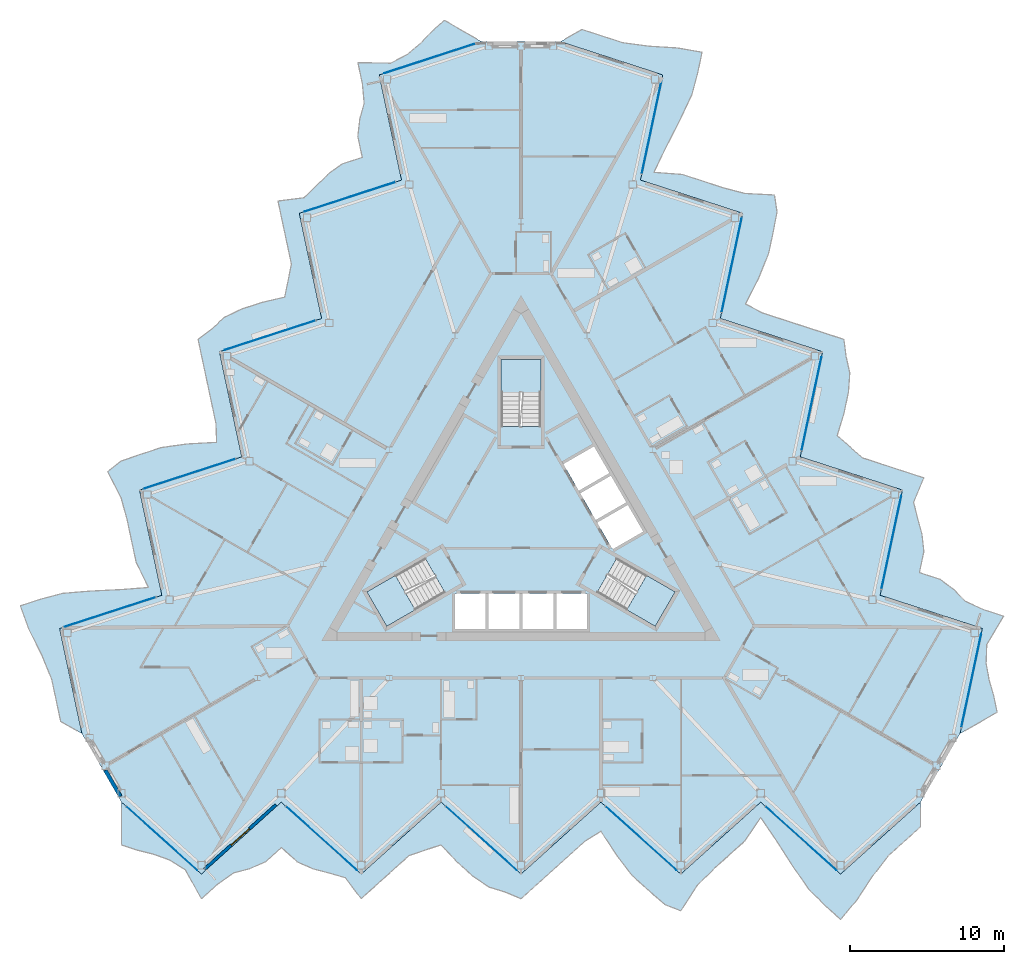
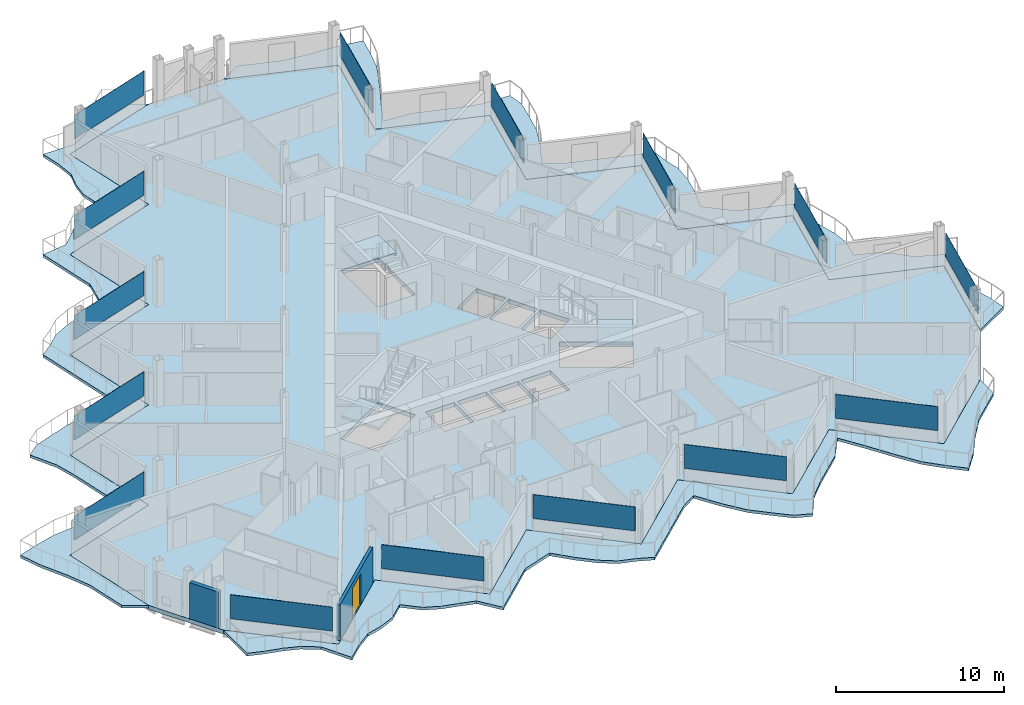
# One storey, part 11 of 26: 15 plates, 7 slabs, 2 walls, 1 door, 1 opening, 18 elements without a shape of their own.
"""IFC4 building model written with IfcOpenShell, lengths in metres."""

from ifc_helpers import new_model, si_unit, direction, frame, frame_2d, origin, origin_2d, place, context, subcontext, project, spatial, polyline, rectangle, outline, extrude, material, layer, layer_set, type_object, element, fill, aggregate, save


model = new_model("IFC4")

# Units and contexts
model_context = context("Model", 3, precision=1e-05, world=origin(), true_north=direction((0.0, 1.0)))
body_context = subcontext(model_context, "Body", "Model", "MODEL_VIEW")
ifc_project = project(units=[si_unit("LENGTHUNIT", "METRE"), si_unit("AREAUNIT", "SQUARE_METRE"), si_unit("VOLUMEUNIT", "CUBIC_METRE"), si_unit("PLANEANGLEUNIT", "RADIAN"), si_unit("MASSUNIT", "GRAM", prefix="KILO")], contexts=[model_context])

# Site, building, storey
site_placement = place(None, origin())
site = spatial("IfcSite", under=ifc_project, at=site_placement, CompositionType="ELEMENT")
building_placement = place(site_placement, origin())
building = spatial("IfcBuilding", under=site, at=building_placement, Name="Cormorant Prow Tower", CompositionType="ELEMENT")
storey_placement = place(building_placement, frame((0.0, 0.0, 371.199951171875)))
storey = spatial("IfcBuildingStorey", under=building, at=storey_placement, Name="L83", CompositionType="ELEMENT", Elevation=371.199951171875)

# Slabs
ifc_material_1 = material(Name="Concrete C40/50", Category="concrete")
ifc_layer_1 = layer(ifc_material_1, 0.199951171875)
ifc_layer_set_1 = layer_set([ifc_layer_1], Name="Concrete C40/50")
slab_type_1 = type_object("IfcSlabType", Name="Balcony slab 200", PredefinedType="FLOOR", material=ifc_layer_set_1)
slab_1_placement = place(storey_placement, frame((0.0, 0.0, -0.199951171875)))
element("IfcSlab", 1, at=slab_1_placement, inside=storey, type_object=slab_type_1, Name="Balcony slab S L83", PredefinedType="FLOOR", context=body_context, shape_type="SweptSolid", body=[
    extrude(outline(polyline([(-26.0, -17.9833984375), (-26.0, -20.767333984375), (-24.9599609375, -21.112060546875), (-23.919921875, -21.37060546875), (-22.8798828125, -21.74267578125), (-21.840087890625, -22.394775390625), (-20.800048828125, -24.265625), (-19.760009765625, -23.3291015625), (-18.719970703125, -22.5927734375), (-17.679931640625, -22.322021484375), (-16.639892578125, -21.869873046875), (-15.60009765625, -20.93359375), (-14.56005859375, -21.869873046875), (-13.52001953125, -22.32666015625), (-12.47998046875, -22.59814453125), (-11.43994140625, -22.8974609375), (-10.39990234375, -24.265625), (-9.360107421875, -23.3291015625), (-8.320068359375, -22.392822265625), (-7.280029296875, -21.456298828125), (-6.239990234375, -21.106689453125), (-5.199951171875, -20.763671875), (-4.159912109375, -21.869873046875), (-3.1201171875, -22.806396484375), (-2.080078125, -23.50927734375), (-1.0400390625, -23.8310546875), (0.0, -24.265625), (1.0400390625, -23.3291015625), (2.080078125, -22.392822265625), (3.1201171875, -21.456298828125), (4.159912109375, -20.52001953125), (5.199951171875, -19.87548828125), (6.239990234375, -21.466064453125), (7.280029296875, -22.806396484375), (8.320068359375, -23.74267578125), (9.360107421875, -24.645751953125), (10.39990234375, -25.052490234375), (11.43994140625, -23.443115234375), (12.47998046875, -22.392822265625), (13.52001953125, -21.456298828125), (14.56005859375, -20.52001953125), (15.60009765625, -18.9921875), (16.639892578125, -20.517578125), (17.679931640625, -22.132080078125), (18.719970703125, -23.6357421875), (19.760009765625, -24.67919921875), (20.800048828125, -25.61572265625), (21.840087890625, -24.373779296875), (22.8798828125, -22.80322265625), (23.919921875, -21.456298828125), (24.9599609375, -20.52001953125), (26.0, -19.58349609375), (26.0, -17.9833984375), (24.9599609375, -18.919921875), (23.919921875, -19.8564453125), (22.8798828125, -20.792724609375), (21.840087890625, -21.729248046875), (20.800048828125, -22.66552734375), (19.760009765625, -21.729248046875), (18.719970703125, -20.792724609375), (17.679931640625, -19.8564453125), (16.639892578125, -18.919921875), (15.60009765625, -17.9833984375), (14.56005859375, -18.919921875), (13.52001953125, -19.8564453125), (12.47998046875, -20.792724609375), (11.43994140625, -21.729248046875), (10.39990234375, -22.66552734375), (9.360107421875, -21.729248046875), (8.320068359375, -20.792724609375), (7.280029296875, -19.8564453125), (6.239990234375, -18.919921875), (5.199951171875, -17.9833984375), (4.159912109375, -18.919921875), (3.1201171875, -19.8564453125), (2.080078125, -20.792724609375), (1.0400390625, -21.729248046875), (0.0, -22.66552734375), (-1.0400390625, -21.729248046875), (-2.080078125, -20.792724609375), (-3.1201171875, -19.8564453125), (-4.159912109375, -18.919921875), (-5.199951171875, -17.9833984375), (-6.239990234375, -18.919921875), (-7.280029296875, -19.8564453125), (-8.320068359375, -20.792724609375), (-9.360107421875, -21.729248046875), (-10.39990234375, -22.66552734375), (-11.43994140625, -21.729248046875), (-12.47998046875, -20.792724609375), (-13.52001953125, -19.8564453125), (-14.56005859375, -18.919921875), (-15.60009765625, -17.9833984375), (-16.639892578125, -18.919921875), (-17.679931640625, -19.8564453125), (-18.719970703125, -20.792724609375), (-19.760009765625, -21.729248046875), (-20.800048828125, -22.66552734375), (-21.840087890625, -21.729248046875), (-22.8798828125, -20.792724609375), (-23.919921875, -19.8564453125), (-24.9599609375, -18.919921875), (-26.0, -17.9833984375)])), origin(), (0.0, 0.0, 1.0), 0.199951171875),
])
slab_2_placement = place(storey_placement, frame((0.0, 0.0, -0.199951171875)))
element("IfcSlab", 2, at=slab_2_placement, inside=storey, type_object=slab_type_1, Name="Balcony slab ENE L83", PredefinedType="FLOOR", context=body_context, shape_type="SweptSolid", body=[
    extrude(outline(polyline([(28.57421875, -13.52490234375), (30.985107421875, -12.133056640625), (30.763427734375, -11.06005859375), (30.467529296875, -10.030029296875), (30.269775390625, -8.943359375), (30.314453125, -7.716552734375), (31.41455078125, -5.880615234375), (30.083740234375, -5.447998046875), (28.926025390625, -4.91552734375), (28.17138671875, -4.150390625), (27.260009765625, -3.4755859375), (25.928955078125, -3.043212890625), (26.219970703125, -1.67431640625), (26.095458984375, -0.54541015625), (25.810546875, 0.490966796875), (25.5498046875, 1.54150390625), (26.214599609375, 3.126220703125), (24.883544921875, 3.55859375), (23.552734375, 3.990966796875), (22.2216796875, 4.423583984375), (21.39892578125, 5.1494140625), (20.581787109375, 5.87841796875), (21.02001953125, 7.332275390625), (21.310791015625, 8.701171875), (21.399658203125, 9.953369140625), (21.158203125, 11.014892578125), (21.0146484375, 12.1328125), (19.68359375, 12.565185546875), (18.352783203125, 12.997802734375), (17.021728515625, 13.43017578125), (15.690673828125, 13.862548828125), (14.61279296875, 14.441162109375), (15.47021484375, 16.136962890625), (16.11083984375, 17.707763671875), (16.40185546875, 19.07666015625), (16.663818359375, 20.428955078125), (16.49609375, 21.532958984375), (14.582275390625, 21.62890625), (13.152587890625, 22.00439453125), (11.82177734375, 22.436767578125), (10.49072265625, 22.869384765625), (8.647705078125, 23.006103515625), (9.44873046875, 24.66943359375), (10.326904296875, 26.377197265625), (11.109130859375, 28.02978515625), (11.492919921875, 29.4521484375), (11.78369140625, 30.821044921875), (10.188232421875, 31.100830078125), (8.308349609375, 31.21630859375), (6.621826171875, 31.443603515625), (5.290771484375, 31.8759765625), (3.959716796875, 32.308349609375), (2.57421875, 31.50830078125), (3.905029296875, 31.075927734375), (5.236083984375, 30.6435546875), (6.567138671875, 30.2109375), (7.89794921875, 29.778564453125), (9.22900390625, 29.34619140625), (8.93798828125, 27.977294921875), (8.64697265625, 26.6083984375), (8.356201171875, 25.239501953125), (8.065185546875, 23.87060546875), (7.774169921875, 22.501708984375), (9.105224609375, 22.0693359375), (10.43603515625, 21.63671875), (11.76708984375, 21.204345703125), (13.09814453125, 20.77197265625), (14.428955078125, 20.33935546875), (14.137939453125, 18.970703125), (13.84716796875, 17.601806640625), (13.55615234375, 16.23291015625), (13.26513671875, 14.864013671875), (12.97412109375, 13.4951171875), (14.30517578125, 13.062744140625), (15.635986328125, 12.630126953125), (16.967041015625, 12.19775390625), (18.298095703125, 11.76513671875), (19.62890625, 11.332763671875), (19.338134765625, 9.9638671875), (19.047119140625, 8.594970703125), (18.756103515625, 7.22607421875), (18.465087890625, 5.857177734375), (18.174072265625, 4.488525390625), (19.505126953125, 4.055908203125), (20.836181640625, 3.62353515625), (22.1669921875, 3.191162109375), (23.498046875, 2.758544921875), (24.8291015625, 2.326171875), (24.5380859375, 0.957275390625), (24.2470703125, -0.41162109375), (23.9560546875, -1.780517578125), (23.6650390625, -3.1494140625), (23.374267578125, -4.518310546875), (24.705078125, -4.95068359375), (26.0361328125, -5.383056640625), (27.366943359375, -5.815673828125), (28.697998046875, -6.248046875), (30.029052734375, -6.680419921875), (29.738037109375, -8.04931640625), (29.447021484375, -9.418212890625), (29.156005859375, -10.787109375), (28.865234375, -12.156005859375), (28.57421875, -13.52490234375)])), origin(), (0.0, 0.0, 1.0), 0.199951171875),
])
slab_3_placement = place(storey_placement, frame((0.0, 0.0, -0.199951171875)))
element("IfcSlab", 3, at=slab_3_placement, inside=storey, type_object=slab_type_1, Name="Balcony slab WNW L83", PredefinedType="FLOOR", context=body_context, shape_type="SweptSolid", body=[
    extrude(outline(polyline([(-2.57421875, 31.50830078125), (-4.985107421875, 32.900390625), (-5.803466796875, 32.171875), (-6.54736328125, 31.400634765625), (-7.389892578125, 30.68603515625), (-8.474365234375, 30.111328125), (-10.61474609375, 30.146240234375), (-10.32373046875, 28.77734375), (-10.2060546875, 27.50830078125), (-10.491455078125, 26.472412109375), (-10.619873046875, 25.345703125), (-10.328857421875, 23.976806640625), (-11.659912109375, 23.544189453125), (-12.575439453125, 22.8720703125), (-13.33056640625, 22.107177734375), (-14.10986328125, 21.35595703125), (-15.814697265625, 21.139404296875), (-15.523681640625, 19.7705078125), (-15.232666015625, 18.401611328125), (-14.941650390625, 17.03271484375), (-15.158935546875, 15.95751953125), (-15.3818359375, 14.88525390625), (-16.85986328125, 14.53759765625), (-18.19091796875, 14.105224609375), (-19.319580078125, 13.555908203125), (-20.1181640625, 12.816162109375), (-21.0146484375, 12.1328125), (-20.7236328125, 10.763916015625), (-20.4326171875, 9.39501953125), (-20.141845703125, 8.026123046875), (-19.850830078125, 6.6572265625), (-19.812744140625, 5.434326171875), (-21.710205078125, 5.3291015625), (-23.390869140625, 5.098388671875), (-24.721923828125, 4.666015625), (-26.02392578125, 4.216796875), (-26.896240234375, 3.51953125), (-26.022216796875, 1.814208984375), (-25.6328125, 0.388427734375), (-25.341796875, -0.98046875), (-25.05078125, -2.349365234375), (-24.24755859375, -4.013916015625), (-26.088623046875, -4.15185546875), (-28.0068359375, -4.245361328125), (-29.8291015625, -4.39404296875), (-31.252685546875, -4.77294921875), (-32.583740234375, -5.20556640625), (-32.0283203125, -6.72705078125), (-31.188232421875, -8.4130859375), (-30.541748046875, -9.987060546875), (-30.250732421875, -11.35595703125), (-29.959716796875, -12.724853515625), (-28.57421875, -13.52490234375), (-28.865234375, -12.156005859375), (-29.156005859375, -10.787109375), (-29.447021484375, -9.418212890625), (-29.738037109375, -8.04931640625), (-30.029052734375, -6.680419921875), (-28.697998046875, -6.248046875), (-27.366943359375, -5.815673828125), (-26.0361328125, -5.383056640625), (-24.705078125, -4.95068359375), (-23.374267578125, -4.518310546875), (-23.6650390625, -3.1494140625), (-23.9560546875, -1.780517578125), (-24.2470703125, -0.41162109375), (-24.5380859375, 0.957275390625), (-24.8291015625, 2.326171875), (-23.498046875, 2.758544921875), (-22.1669921875, 3.191162109375), (-20.836181640625, 3.62353515625), (-19.505126953125, 4.055908203125), (-18.174072265625, 4.488525390625), (-18.465087890625, 5.857177734375), (-18.756103515625, 7.22607421875), (-19.047119140625, 8.594970703125), (-19.338134765625, 9.9638671875), (-19.62890625, 11.332763671875), (-18.298095703125, 11.76513671875), (-16.967041015625, 12.19775390625), (-15.635986328125, 12.630126953125), (-14.30517578125, 13.062744140625), (-12.97412109375, 13.4951171875), (-13.26513671875, 14.864013671875), (-13.55615234375, 16.23291015625), (-13.84716796875, 17.601806640625), (-14.137939453125, 18.970703125), (-14.428955078125, 20.33935546875), (-13.09814453125, 20.77197265625), (-11.76708984375, 21.204345703125), (-10.43603515625, 21.63671875), (-9.105224609375, 22.0693359375), (-7.774169921875, 22.501708984375), (-8.065185546875, 23.87060546875), (-8.356201171875, 25.239501953125), (-8.64697265625, 26.6083984375), (-8.93798828125, 27.977294921875), (-9.22900390625, 29.34619140625), (-7.89794921875, 29.778564453125), (-6.567138671875, 30.2109375), (-5.236083984375, 30.6435546875), (-3.905029296875, 31.075927734375), (-2.57421875, 31.50830078125)])), origin(), (0.0, 0.0, 1.0), 0.199951171875),
])
ifc_material_2 = material(Name="Concrete C40/50", Category="concrete")
ifc_layer_2 = layer(ifc_material_2, 0.300048828125)
ifc_layer_set_2 = layer_set([ifc_layer_2], Name="Concrete C40/50")
slab_type_2 = type_object("IfcSlabType", Name="Post-tensioned flat slab 300", PredefinedType="FLOOR", material=ifc_layer_set_2)
slab_4_placement = place(storey_placement, frame((0.0, 0.0, -0.300048828125)))
element("IfcSlab", 4, at=slab_4_placement, inside=storey, type_object=slab_type_2, Name="Floor slab L83", PredefinedType="FLOOR", context=body_context, shape_type="SweptSolid", body=[
    extrude(outline(polyline([(-7.774169921875, 22.501708984375), (-14.428955078125, 20.33935546875), (-12.97412109375, 13.4951171875), (-19.62890625, 11.332763671875), (-18.174072265625, 4.488525390625), (-24.8291015625, 2.326171875), (-23.374267578125, -4.518310546875), (-30.029052734375, -6.680419921875), (-28.57421875, -13.52490234375), (-27.287109375, -15.754150390625), (-26.0, -17.9833984375), (-20.800048828125, -22.66552734375), (-15.60009765625, -17.9833984375), (-10.39990234375, -22.66552734375), (-5.199951171875, -17.9833984375), (0.0, -22.66552734375), (5.199951171875, -17.9833984375), (10.39990234375, -22.66552734375), (15.60009765625, -17.9833984375), (20.800048828125, -22.66552734375), (26.0, -17.9833984375), (27.287109375, -15.754150390625), (28.57421875, -13.52490234375), (30.029052734375, -6.680419921875), (23.374267578125, -4.518310546875), (24.8291015625, 2.326171875), (18.174072265625, 4.488525390625), (19.62890625, 11.332763671875), (12.97412109375, 13.4951171875), (14.428955078125, 20.33935546875), (7.774169921875, 22.501708984375), (9.22900390625, 29.34619140625), (2.57421875, 31.50830078125), (0.0, 31.50830078125), (-2.57421875, 31.50830078125), (-9.22900390625, 29.34619140625), (-7.774169921875, 22.501708984375)]), holes=[polyline([(-4.300048828125, -4.39990234375), (-2.300048828125, -4.39990234375), (-2.300048828125, -6.699951171875), (-4.300048828125, -6.699951171875), (-4.300048828125, -4.39990234375)]), polyline([(-0.10009765625, -4.39990234375), (-0.10009765625, -6.699951171875), (-2.10009765625, -6.699951171875), (-2.10009765625, -4.39990234375), (-0.10009765625, -4.39990234375)]), polyline([(2.10009765625, -6.699951171875), (0.10009765625, -6.699951171875), (0.10009765625, -4.39990234375), (2.10009765625, -4.39990234375), (2.10009765625, -6.699951171875)]), polyline([(2.300048828125, -6.699951171875), (2.300048828125, -4.39990234375), (4.300048828125, -4.39990234375), (4.300048828125, -6.699951171875), (2.300048828125, -6.699951171875)]), polyline([(5.96044921875, -1.52392578125), (4.96044921875, 0.2080078125), (6.952392578125, 1.358154296875), (7.952392578125, -0.373779296875), (5.96044921875, -1.52392578125)]), polyline([(3.860595703125, 2.11328125), (5.852294921875, 3.263427734375), (6.852294921875, 1.53125), (4.860595703125, 0.38134765625), (3.860595703125, 2.11328125)]), polyline([(4.75244140625, 5.168701171875), (5.75244140625, 3.4365234375), (3.760498046875, 2.28662109375), (2.760498046875, 4.018798828125), (4.75244140625, 5.168701171875)]), polyline([(-4.947509765625, -4.3505859375), (-8.738037109375, -6.5390625), (-10.031982421875, -4.2978515625), (-6.241455078125, -2.109375), (-4.947509765625, -4.3505859375)]), polyline([(10.031982421875, -4.2978515625), (8.738037109375, -6.5390625), (4.947509765625, -4.3505859375), (6.241455078125, -2.109375), (10.031982421875, -4.2978515625)]), polyline([(1.2939453125, 10.8369140625), (1.2939453125, 6.459716796875), (-1.2939453125, 6.459716796875), (-1.2939453125, 10.8369140625), (1.2939453125, 10.8369140625)])]), origin(), (0.0, 0.0, 1.0), 0.300048828125),
])

# Curtain wall, plate
ifc_material_3 = material(Name="Aluminium 6063-T6", Category="aluminium")
ifc_layer_3 = layer(ifc_material_3, 0.159912109375)
ifc_layer_set_3 = layer_set([ifc_layer_3], Name="Aluminium 6063-T6")
curtain_wall_type = type_object("IfcCurtainWallType", Name="Residential unitised curtain wall 160", PredefinedType="NOTDEFINED", material=ifc_layer_set_3)
curtain_wall_1_placement = place(storey_placement, origin())
curtain_wall_1 = element("IfcCurtainWall", 5, at=curtain_wall_1_placement, inside=storey, type_object=curtain_wall_type, Name="Residential curtain wall S00", PredefinedType="NOTDEFINED")
ifc_material_4 = material(Name="Clear glass", Category="glass")
ifc_layer_4 = layer(ifc_material_4, 0.02392578125)
ifc_layer_set_4 = layer_set([ifc_layer_4], Name="Clear glass")
plate_type = type_object("IfcPlateType", Name="Residential glass panel 24", PredefinedType="CURTAIN_PANEL", material=ifc_layer_set_4)
plate_1_placement = place(storey_placement, frame((-23.38134765625, -20.34130859375, 0.900146484375), z_axis=(0.0, 0.0, 1.0), x_axis=(0.743144827638, -0.669130603959, 0.0)))
plate_1 = element("IfcPlate", 6, at=plate_1_placement, type_object=plate_type, Name="Residential glass panel S00", PredefinedType="CURTAIN_PANEL", context=body_context, shape_type="SweptSolid", body=[
    extrude(rectangle(XDim=6.21533203125, YDim=0.02392578125, at=origin_2d()), origin(), (0.0, 0.0, 1.0), 1.73388671875),
])
aggregate(curtain_wall_1, [plate_1])

curtain_wall_2_placement = place(storey_placement, origin())
curtain_wall_2 = element("IfcCurtainWall", 7, at=curtain_wall_2_placement, inside=storey, type_object=curtain_wall_type, Name="Residential curtain wall S02", PredefinedType="NOTDEFINED")
plate_2_placement = place(storey_placement, frame((-12.9814453125, -20.34130859375, 0.900146484375), z_axis=(0.0, 0.0, 1.0), x_axis=(0.743144827638, -0.669130603959, 0.0)))
plate_2 = element("IfcPlate", 8, at=plate_2_placement, type_object=plate_type, Name="Residential glass panel S02", PredefinedType="CURTAIN_PANEL", context=body_context, shape_type="SweptSolid", body=[
    extrude(rectangle(XDim=6.21533203125, YDim=0.02392578125, at=origin_2d()), origin(), (0.0, 0.0, 1.0), 1.73388671875),
])
aggregate(curtain_wall_2, [plate_2])

curtain_wall_3_placement = place(storey_placement, origin())
curtain_wall_3 = element("IfcCurtainWall", 9, at=curtain_wall_3_placement, inside=storey, type_object=curtain_wall_type, Name="Residential curtain wall S04", PredefinedType="NOTDEFINED")
plate_3_placement = place(storey_placement, frame((-2.58154296875, -20.34130859375, 0.900146484375), z_axis=(0.0, 0.0, 1.0), x_axis=(0.743144827638, -0.669130603959, 0.0)))
plate_3 = element("IfcPlate", 10, at=plate_3_placement, type_object=plate_type, Name="Residential glass panel S04", PredefinedType="CURTAIN_PANEL", context=body_context, shape_type="SweptSolid", body=[
    extrude(rectangle(XDim=6.21533203125, YDim=0.02392578125, at=origin_2d()), origin(), (0.0, 0.0, 1.0), 1.73388671875),
])
aggregate(curtain_wall_3, [plate_3])

curtain_wall_4_placement = place(storey_placement, origin())
curtain_wall_4 = element("IfcCurtainWall", 11, at=curtain_wall_4_placement, inside=storey, type_object=curtain_wall_type, Name="Residential curtain wall S06", PredefinedType="NOTDEFINED")
plate_4_placement = place(storey_placement, frame((7.818603515625, -20.34130859375, 0.900146484375), z_axis=(0.0, 0.0, 1.0), x_axis=(0.743144827638, -0.669130603959, 0.0)))
plate_4 = element("IfcPlate", 12, at=plate_4_placement, type_object=plate_type, Name="Residential glass panel S06", PredefinedType="CURTAIN_PANEL", context=body_context, shape_type="SweptSolid", body=[
    extrude(rectangle(XDim=6.21533203125, YDim=0.02392578125, at=origin_2d()), origin(), (0.0, 0.0, 1.0), 1.73388671875),
])
aggregate(curtain_wall_4, [plate_4])

curtain_wall_5_placement = place(storey_placement, origin())
curtain_wall_5 = element("IfcCurtainWall", 13, at=curtain_wall_5_placement, inside=storey, type_object=curtain_wall_type, Name="Residential curtain wall S08", PredefinedType="NOTDEFINED")
plate_5_placement = place(storey_placement, frame((18.218505859375, -20.34130859375, 0.900146484375), z_axis=(0.0, 0.0, 1.0), x_axis=(0.743144827638, -0.669130603959, 0.0)))
plate_5 = element("IfcPlate", 14, at=plate_5_placement, type_object=plate_type, Name="Residential glass panel S08", PredefinedType="CURTAIN_PANEL", context=body_context, shape_type="SweptSolid", body=[
    extrude(rectangle(XDim=6.21533203125, YDim=0.02392578125, at=origin_2d()), origin(), (0.0, 0.0, 1.0), 1.73388671875),
])
aggregate(curtain_wall_5, [plate_5])

curtain_wall_6_placement = place(storey_placement, origin())
curtain_wall_6 = element("IfcCurtainWall", 15, at=curtain_wall_6_placement, inside=storey, type_object=curtain_wall_type, Name="Residential curtain wall ENE00", PredefinedType="NOTDEFINED")
plate_6_placement = place(storey_placement, frame((29.306884765625, -10.078369140625, 0.900146484375), z_axis=(0.0, 0.0, 1.0), x_axis=(0.207911620089, 0.978147615768, 0.0)))
plate_6 = element("IfcPlate", 16, at=plate_6_placement, type_object=plate_type, Name="Residential glass panel ENE00", PredefinedType="CURTAIN_PANEL", context=body_context, shape_type="SweptSolid", body=[
    extrude(rectangle(XDim=6.21533203125, YDim=0.02392578125, at=origin_2d()), origin(), (0.0, 0.0, 1.0), 1.73388671875),
])
aggregate(curtain_wall_6, [plate_6])

curtain_wall_7_placement = place(storey_placement, origin())
curtain_wall_7 = element("IfcCurtainWall", 17, at=curtain_wall_7_placement, inside=storey, type_object=curtain_wall_type, Name="Residential curtain wall ENE02", PredefinedType="NOTDEFINED")
plate_7_placement = place(storey_placement, frame((24.106689453125, -1.071533203125, 0.900146484375), z_axis=(0.0, 0.0, 1.0), x_axis=(0.207911649162, 0.978147609588, 0.0)))
plate_7 = element("IfcPlate", 18, at=plate_7_placement, type_object=plate_type, Name="Residential glass panel ENE02", PredefinedType="CURTAIN_PANEL", context=body_context, shape_type="SweptSolid", body=[
    extrude(rectangle(XDim=6.21533203125, YDim=0.02392578125, at=origin_2d()), origin(), (0.0, 0.0, 1.0), 1.73388671875),
])
aggregate(curtain_wall_7, [plate_7])

curtain_wall_8_placement = place(storey_placement, origin())
curtain_wall_8 = element("IfcCurtainWall", 19, at=curtain_wall_8_placement, inside=storey, type_object=curtain_wall_type, Name="Residential curtain wall ENE04", PredefinedType="NOTDEFINED")
plate_8_placement = place(storey_placement, frame((18.90673828125, 7.93505859375, 0.900146484375), z_axis=(0.0, 0.0, 1.0), x_axis=(0.207911620089, 0.978147615768, 0.0)))
plate_8 = element("IfcPlate", 20, at=plate_8_placement, type_object=plate_type, Name="Residential glass panel ENE04", PredefinedType="CURTAIN_PANEL", context=body_context, shape_type="SweptSolid", body=[
    extrude(rectangle(XDim=6.21533203125, YDim=0.02392578125, at=origin_2d()), origin(), (0.0, 0.0, 1.0), 1.73388671875),
])
aggregate(curtain_wall_8, [plate_8])

curtain_wall_9_placement = place(storey_placement, origin())
curtain_wall_9 = element("IfcCurtainWall", 21, at=curtain_wall_9_placement, inside=storey, type_object=curtain_wall_type, Name="Residential curtain wall ENE06", PredefinedType="NOTDEFINED")
plate_9_placement = place(storey_placement, frame((13.706787109375, 16.941650390625, 0.900146484375), z_axis=(0.0, 0.0, 1.0), x_axis=(0.207911620089, 0.978147615768, 0.0)))
plate_9 = element("IfcPlate", 22, at=plate_9_placement, type_object=plate_type, Name="Residential glass panel ENE06", PredefinedType="CURTAIN_PANEL", context=body_context, shape_type="SweptSolid", body=[
    extrude(rectangle(XDim=6.21533203125, YDim=0.02392578125, at=origin_2d()), origin(), (0.0, 0.0, 1.0), 1.73388671875),
])
aggregate(curtain_wall_9, [plate_9])

curtain_wall_10_placement = place(storey_placement, origin())
curtain_wall_10 = element("IfcCurtainWall", 23, at=curtain_wall_10_placement, inside=storey, type_object=curtain_wall_type, Name="Residential curtain wall ENE08", PredefinedType="NOTDEFINED")
plate_10_placement = place(storey_placement, frame((8.5068359375, 25.948486328125, 0.900146484375), z_axis=(0.0, 0.0, 1.0), x_axis=(0.207911649162, 0.978147609588, 0.0)))
plate_10 = element("IfcPlate", 24, at=plate_10_placement, type_object=plate_type, Name="Residential glass panel ENE08", PredefinedType="CURTAIN_PANEL", context=body_context, shape_type="SweptSolid", body=[
    extrude(rectangle(XDim=6.21533203125, YDim=0.02392578125, at=origin_2d()), origin(), (0.0, 0.0, 1.0), 1.73388671875),
])
aggregate(curtain_wall_10, [plate_10])

curtain_wall_11_placement = place(storey_placement, origin())
curtain_wall_11 = element("IfcCurtainWall", 25, at=curtain_wall_11_placement, inside=storey, type_object=curtain_wall_type, Name="Residential curtain wall WNW00", PredefinedType="NOTDEFINED")
plate_11_placement = place(storey_placement, frame((-5.92529296875, 30.41943359375, 0.900146484375), z_axis=(0.0, 0.0, 1.0), x_axis=(-0.951056506549, -0.309017024369, 0.0)))
plate_11 = element("IfcPlate", 26, at=plate_11_placement, type_object=plate_type, Name="Residential glass panel WNW00", PredefinedType="CURTAIN_PANEL", context=body_context, shape_type="SweptSolid", body=[
    extrude(rectangle(XDim=6.21533203125, YDim=0.02392578125, at=origin_2d()), origin(), (0.0, 0.0, 1.0), 1.73388671875),
])
aggregate(curtain_wall_11, [plate_11])

curtain_wall_12_placement = place(storey_placement, origin())
curtain_wall_12 = element("IfcCurtainWall", 27, at=curtain_wall_12_placement, inside=storey, type_object=curtain_wall_type, Name="Residential curtain wall WNW02", PredefinedType="NOTDEFINED")
plate_12_placement = place(storey_placement, frame((-11.125244140625, 21.412841796875, 0.900146484375), z_axis=(0.0, 0.0, 1.0), x_axis=(-0.951056492904, -0.309017066365, 0.0)))
plate_12 = element("IfcPlate", 28, at=plate_12_placement, type_object=plate_type, Name="Residential glass panel WNW02", PredefinedType="CURTAIN_PANEL", context=body_context, shape_type="SweptSolid", body=[
    extrude(rectangle(XDim=6.21533203125, YDim=0.02392578125, at=origin_2d()), origin(), (0.0, 0.0, 1.0), 1.73388671875),
])
aggregate(curtain_wall_12, [plate_12])

curtain_wall_13_placement = place(storey_placement, origin())
curtain_wall_13 = element("IfcCurtainWall", 29, at=curtain_wall_13_placement, inside=storey, type_object=curtain_wall_type, Name="Residential curtain wall WNW04", PredefinedType="NOTDEFINED")
plate_13_placement = place(storey_placement, frame((-16.325439453125, 12.40625, 0.900146484375), z_axis=(0.0, 0.0, 1.0), x_axis=(-0.951056534902, -0.309016937108, 0.0)))
plate_13 = element("IfcPlate", 30, at=plate_13_placement, type_object=plate_type, Name="Residential glass panel WNW04", PredefinedType="CURTAIN_PANEL", context=body_context, shape_type="SweptSolid", body=[
    extrude(rectangle(XDim=6.21533203125, YDim=0.02392578125, at=origin_2d()), origin(), (0.0, 0.0, 1.0), 1.73388671875),
])
aggregate(curtain_wall_13, [plate_13])

curtain_wall_14_placement = place(storey_placement, origin())
curtain_wall_14 = element("IfcCurtainWall", 31, at=curtain_wall_14_placement, inside=storey, type_object=curtain_wall_type, Name="Residential curtain wall WNW06", PredefinedType="NOTDEFINED")
plate_14_placement = place(storey_placement, frame((-21.525390625, 3.399658203125, 0.900146484375), z_axis=(0.0, 0.0, 1.0), x_axis=(-0.951056492904, -0.309017066365, 0.0)))
plate_14 = element("IfcPlate", 32, at=plate_14_placement, type_object=plate_type, Name="Residential glass panel WNW06", PredefinedType="CURTAIN_PANEL", context=body_context, shape_type="SweptSolid", body=[
    extrude(rectangle(XDim=6.21533203125, YDim=0.02392578125, at=origin_2d()), origin(), (0.0, 0.0, 1.0), 1.73388671875),
])
aggregate(curtain_wall_14, [plate_14])

curtain_wall_15_placement = place(storey_placement, origin())
curtain_wall_15 = element("IfcCurtainWall", 33, at=curtain_wall_15_placement, inside=storey, type_object=curtain_wall_type, Name="Residential curtain wall WNW08", PredefinedType="NOTDEFINED")
plate_15_placement = place(storey_placement, frame((-26.725341796875, -5.607177734375, 0.900146484375), z_axis=(0.0, 0.0, 1.0), x_axis=(-0.951056492904, -0.309017066365, 0.0)))
plate_15 = element("IfcPlate", 34, at=plate_15_placement, type_object=plate_type, Name="Residential glass panel WNW08", PredefinedType="CURTAIN_PANEL", context=body_context, shape_type="SweptSolid", body=[
    extrude(rectangle(XDim=6.21533203125, YDim=0.02392578125, at=origin_2d()), origin(), (0.0, 0.0, 1.0), 1.73388671875),
])
aggregate(curtain_wall_15, [plate_15])

# Stair, slab
ifc_material_5 = material(Name="Exit stair 18 risers")
stair_type = type_object("IfcStairType", Name="Exit stair 18 risers", PredefinedType="HALF_TURN_STAIR", material=ifc_material_5)
stair_1_placement = place(storey_placement, origin())
stair_1 = element("IfcStair", 35, at=stair_1_placement, inside=storey, type_object=stair_type, Name="L83 Exit stair ST1", PredefinedType="HALF_TURN_STAIR")
ifc_material_6 = material(Name="Concrete 5000 psi", Category="concrete")
ifc_layer_5 = layer(ifc_material_6, 0.199951171875)
ifc_layer_set_5 = layer_set([ifc_layer_5], Name="Concrete 5000 psi")
slab_type_3 = type_object("IfcSlabType", Name="Stair landing 200", PredefinedType="LANDING", material=ifc_layer_set_5)
slab_5_placement = place(storey_placement, frame((0.0, 0.0, 1.5)))
slab_5 = element("IfcSlab", 36, at=slab_5_placement, type_object=slab_type_3, Name="ST1 landing 1", PredefinedType="LANDING", context=body_context, shape_type="SweptSolid", body=[
    extrude(outline(polyline([(-8.17431640625, -3.225341796875), (-10.031982421875, -4.2978515625), (-8.738037109375, -6.5390625), (-6.88037109375, -5.466552734375), (-8.17431640625, -3.225341796875)])), origin(), (0.0, 0.0, 1.0), 0.199951171875),
])
aggregate(stair_1, [slab_5])

stair_2_placement = place(storey_placement, origin())
stair_2 = element("IfcStair", 37, at=stair_2_placement, inside=storey, type_object=stair_type, Name="L83 Exit stair ST2", PredefinedType="HALF_TURN_STAIR")
slab_6_placement = place(storey_placement, frame((0.0, 0.0, 1.5)))
slab_6 = element("IfcSlab", 38, at=slab_6_placement, type_object=slab_type_3, Name="ST2 landing 1", PredefinedType="LANDING", context=body_context, shape_type="SweptSolid", body=[
    extrude(outline(polyline([(6.88037109375, -5.466552734375), (8.738037109375, -6.5390625), (10.031982421875, -4.2978515625), (8.17431640625, -3.225341796875), (6.88037109375, -5.466552734375)])), origin(), (0.0, 0.0, 1.0), 0.199951171875),
])
aggregate(stair_2, [slab_6])

stair_3_placement = place(storey_placement, origin())
stair_3 = element("IfcStair", 39, at=stair_3_placement, inside=storey, type_object=stair_type, Name="L83 Exit stair ST3", PredefinedType="HALF_TURN_STAIR")
slab_7_placement = place(storey_placement, frame((0.0, 0.0, 1.5)))
slab_7 = element("IfcSlab", 40, at=slab_7_placement, type_object=slab_type_3, Name="ST3 landing 1", PredefinedType="LANDING", context=body_context, shape_type="SweptSolid", body=[
    extrude(outline(polyline([(1.2939453125, 8.69189453125), (1.2939453125, 10.8369140625), (-1.2939453125, 10.8369140625), (-1.2939453125, 8.69189453125), (1.2939453125, 8.69189453125)])), origin(), (0.0, 0.0, 1.0), 0.199951171875),
])
aggregate(stair_3, [slab_7])

# Wall
ifc_material_7 = material(Name="Terracotta", Category="masonry")
ifc_layer_6 = layer(ifc_material_7, 0.25)
ifc_layer_set_6 = layer_set([ifc_layer_6], Name="Terracotta")
wall_type_1 = type_object("IfcWallType", Name="Terracotta bay wall 250", PredefinedType="SOLIDWALL", material=ifc_layer_set_6)
wall_1_placement = place(storey_placement, frame((-27.052978515625, -15.90966796875, 0.0), z_axis=(0.0, 0.0, 1.0), x_axis=(0.500017700655, -0.866015184065, 0.0)))
element("IfcWall", 41, at=wall_1_placement, inside=storey, type_object=wall_type_1, Name="Terracotta bay wall WSW01", PredefinedType="SOLIDWALL", context=body_context, shape_type="SweptSolid", body=[
    extrude(rectangle(XDim=1.95654296875, YDim=0.25, at=frame_2d((0.978271484375, 0.0))), origin(), (0.0, 0.0, 1.0), 2.634033203125),
])

# Wall, opening, door
ifc_material_8 = material(Name="Terracotta", Category="masonry")
ifc_layer_7 = layer(ifc_material_8, 0.199951171875)
ifc_layer_set_7 = layer_set([ifc_layer_7], Name="Terracotta")
wall_type_2 = type_object("IfcWallType", Name="Terracotta jamb wall 200", PredefinedType="SOLIDWALL", material=ifc_layer_set_7)
wall_2_placement = place(storey_placement, frame((-20.594970703125, -22.346435546875, 0.0), z_axis=(0.0, 0.0, 1.0), x_axis=(0.743137181878, 0.669139095339, 0.0)))
wall_2 = element("IfcWall", 42, at=wall_2_placement, inside=storey, type_object=wall_type_2, Name="Terracotta jamb wall S01", PredefinedType="SOLIDWALL", context=body_context, shape_type="SweptSolid", body=[
    extrude(rectangle(XDim=6.265380859375, YDim=0.199951171875, at=frame_2d((3.1328125, 0.0))), origin(), (0.0, 0.0, 1.0), 2.634033203125),
])
opening_placement = place(wall_2_placement, frame((2.332763671875, 0.0, 0.0)))
opening = element("IfcOpeningElement", 43, at=opening_placement, cuts=wall_2, Name="Opening ED83.01", PredefinedType="OPENING", context=body_context, shape_type="SweptSolid", body=[
    extrude(rectangle(XDim=1.60009765625, YDim=2.25, at=frame_2d((0.800048828125, 1.125))), frame((0.0, 0.10986328125, 0.0), z_axis=(0.0, -1.0, 0.0), x_axis=(1.0, 0.0, 0.0)), (0.0, 0.0, 1.0), 0.219970703125),
])
ifc_material_9 = material(Name="Aluminium 6063-T6", Category="aluminium")
door_type = type_object("IfcDoorType", Name="Balcony door 1600x2250", OperationType="DOUBLE_DOOR_SINGLE_SWING", PredefinedType="DOOR", material=ifc_material_9)
door_placement = place(opening_placement, origin())
door = element("IfcDoor", 44, at=door_placement, inside=storey, type_object=door_type, Name="Balcony door S01 ED83.01", OperationType="DOUBLE_DOOR_SINGLE_SWING", OverallHeight=2.25, OverallWidth=1.60009765625, PredefinedType="DOOR", context=body_context, shape_type="SweptSolid", body=[
    extrude(rectangle(XDim=1.60009765625, YDim=2.25, at=frame_2d((0.800048828125, 1.125))), frame((0.0, 0.02490234375, 0.0), z_axis=(0.0, -1.0, 0.0), x_axis=(1.0, 0.0, 0.0)), (0.0, 0.0, 1.0), 0.050048828125),
])
fill(opening, door)

save(model, "model.ifc")
